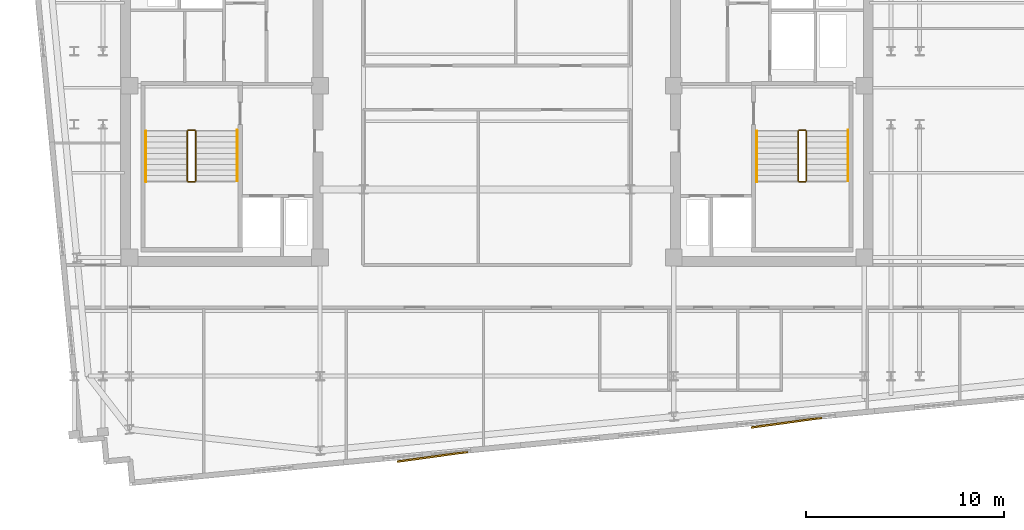
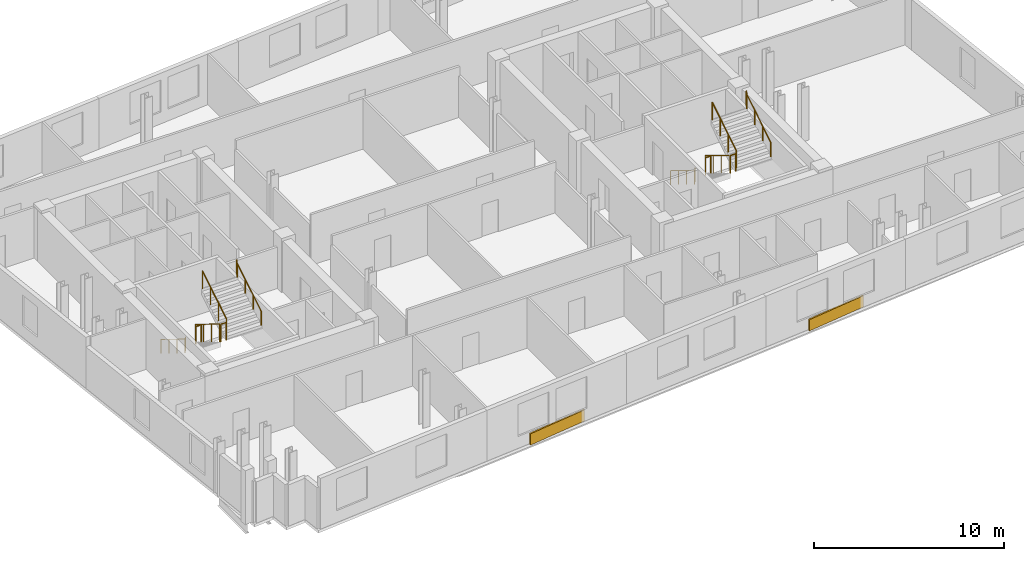
# One storey, part 8 of 9: 12 railings, 2 coverings.
"""IFC4 building model written with IfcOpenShell, lengths in metres."""

from ifc_helpers import new_model, si_unit, direction, frame, origin, origin_2d, place, context, subcontext, project, spatial, rectangle, circle, extrude, material, layer, layer_set, type_object, element, save


model = new_model("IFC4")

# Units and contexts
model_context = context("Model", 3, precision=1e-05, world=origin(), true_north=direction((0.0, 1.0)))
body_context = subcontext(model_context, "Body", "Model", "MODEL_VIEW")
ifc_project = project(units=[si_unit("LENGTHUNIT", "METRE"), si_unit("AREAUNIT", "SQUARE_METRE"), si_unit("VOLUMEUNIT", "CUBIC_METRE"), si_unit("PLANEANGLEUNIT", "RADIAN"), si_unit("MASSUNIT", "GRAM", prefix="KILO")], contexts=[model_context])

# Site, building, storey
site_placement = place(None, origin())
site = spatial("IfcSite", under=ifc_project, at=site_placement, CompositionType="ELEMENT")
building_placement = place(site_placement, origin())
building = spatial("IfcBuilding", under=site, at=building_placement, Name="Velakula Bourse", CompositionType="ELEMENT")
storey_placement = place(building_placement, frame((0.0, 0.0, 265.5)))
storey = spatial("IfcBuildingStorey", under=building, at=storey_placement, Name="L72", CompositionType="ELEMENT", Elevation=265.5)

# Coverings
ifc_material_1 = material(Name="Buff kilned clay facing brick masonry", Category="masonry")
ifc_layer = layer(ifc_material_1, 0.074951171875, Name="Buff kilned clay facing brick masonry", Category="masonry")
ifc_layer_set = layer_set([ifc_layer], Name="Buff kilned clay facing brick masonry")
covering_type = type_object("IfcCoveringType", Name="COV-BRK-SPN-75", PredefinedType="CLADDING", material=ifc_layer_set)
for number, where, z_axis, x_axis, name in (
    (1, (-3.26220703125, -18.68115234375, 0.0), (0.0, 0.0, 1.0), (0.990629029058, 0.136580111242, 0.0), "L72 Folded Brick Facade Cladding Panel S-B2"),
    (2, (14.655029296875, -16.955810546875, 0.0), (0.0, 0.0, 1.0), (0.990629029058, 0.136580111242, 0.0), "L72 Folded Brick Facade Cladding Panel S-B4"),
):
    element("IfcCovering", number, at=place(storey_placement, frame(where, z_axis=z_axis, x_axis=x_axis)), inside=storey, type_object=covering_type, Name=name, PredefinedType="CLADDING", context=body_context, shape_type="SweptSolid", body=[
        extrude(rectangle(XDim=3.60009765625, YDim=0.090087890625, at=origin_2d()), origin(), (0.0, 0.0, 1.0), 0.719970703125),
    ])

# Railings
ifc_material_2 = material(Name="Brushed grade 316 stainless steel", Category="steel")
railing_type_1 = type_object("IfcRailingType", Name="RLG-STAIR-GUARD-1150", PredefinedType="BALUSTRADE", material=ifc_material_2)
railing_1_placement = place(storey_placement, frame((-15.672119140625, -2.199951171875, 0.172607421875)))
element("IfcRailing", 3, at=railing_1_placement, inside=storey, type_object=railing_type_1, Name="L72 ST-W1 stair guard 1", PredefinedType="BALUSTRADE", context=body_context, shape_type="SweptSolid", body=[
    extrude(circle(Radius=0.02490234375, at=origin_2d()), frame((0.0, 0.0, 1.125), z_axis=(0.0, -0.851400495292, 0.524516154772), x_axis=(1.0, 0.0, 0.0)), (0.0, 0.0, 1.0), 2.9599609375),
    extrude(circle(Radius=0.02099609375, at=origin_2d()), origin(), (0.0, 0.0, 1.0), 1.099853515625),
    extrude(circle(Radius=0.02099609375, at=origin_2d()), frame((0.0, -0.840087890625, 0.517578125)), (0.0, 0.0, 1.0), 1.099853515625),
    extrude(circle(Radius=0.02099609375, at=origin_2d()), frame((0.0, -1.679931640625, 1.034912109375)), (0.0, 0.0, 1.0), 1.099853515625),
    extrude(circle(Radius=0.02099609375, at=origin_2d()), frame((0.0, -2.52001953125, 1.552490234375)), (0.0, 0.0, 1.0), 1.099853515625),
])
railing_2_placement = place(storey_placement, frame((-15.6220703125, -4.77001953125, 1.72509765625)))
element("IfcRailing", 4, at=railing_2_placement, inside=storey, type_object=railing_type_1, Name="L72 ST-W1 stair guard 2", PredefinedType="BALUSTRADE", context=body_context, shape_type="SweptSolid", body=[
    extrude(circle(Radius=0.02490234375, at=origin_2d()), frame((0.0, 0.0, 1.125), z_axis=(1.0, 0.0, 0.0), x_axis=(0.0, 1.0, 0.0)), (0.0, 0.0, 1.0), 0.323974609375),
    extrude(circle(Radius=0.02099609375, at=origin_2d()), origin(), (0.0, 0.0, 1.0), 1.099853515625),
    extrude(circle(Radius=0.02099609375, at=origin_2d()), frame((0.323974609375, 0.0, 0.0)), (0.0, 0.0, 1.0), 1.099853515625),
])
railing_3_placement = place(storey_placement, frame((-15.248046875, -4.719970703125, 1.8974609375)))
element("IfcRailing", 5, at=railing_3_placement, inside=storey, type_object=railing_type_1, Name="L72 ST-W1 stair guard 3", PredefinedType="BALUSTRADE", context=body_context, shape_type="SweptSolid", body=[
    extrude(circle(Radius=0.02490234375, at=origin_2d()), frame((0.0, 0.0, 1.125), z_axis=(0.0, 0.851400495292, 0.524516154772), x_axis=(-1.0, 0.0, 0.0)), (0.0, 0.0, 1.0), 2.9599609375),
    extrude(circle(Radius=0.02099609375, at=origin_2d()), origin(), (0.0, 0.0, 1.0), 1.099853515625),
    extrude(circle(Radius=0.02099609375, at=origin_2d()), frame((0.0, 0.840087890625, 0.517578125)), (0.0, 0.0, 1.0), 1.099853515625),
    extrude(circle(Radius=0.02099609375, at=origin_2d()), frame((0.0, 1.679931640625, 1.034912109375)), (0.0, 0.0, 1.0), 1.099853515625),
    extrude(circle(Radius=0.02099609375, at=origin_2d()), frame((0.0, 2.52001953125, 1.552490234375)), (0.0, 0.0, 1.0), 1.099853515625),
])
railing_4_placement = place(storey_placement, frame((-15.6220703125, -2.14990234375, 0.0)))
element("IfcRailing", 6, at=railing_4_placement, inside=storey, type_object=railing_type_1, Name="L72 ST-W1 stair guard 4", PredefinedType="BALUSTRADE", context=body_context, shape_type="SweptSolid", body=[
    extrude(circle(Radius=0.02490234375, at=origin_2d()), frame((0.0, 0.0, 1.125), z_axis=(1.0, 0.0, 0.0), x_axis=(0.0, 1.0, 0.0)), (0.0, 0.0, 1.0), 0.323974609375),
    extrude(circle(Radius=0.02099609375, at=origin_2d()), origin(), (0.0, 0.0, 1.0), 1.099853515625),
    extrude(circle(Radius=0.02099609375, at=origin_2d()), frame((0.323974609375, 0.0, 0.0)), (0.0, 0.0, 1.0), 1.099853515625),
])
railing_5_placement = place(storey_placement, frame((15.248046875, -2.199951171875, 0.172607421875)))
element("IfcRailing", 7, at=railing_5_placement, inside=storey, type_object=railing_type_1, Name="L72 ST-E1 stair guard 1", PredefinedType="BALUSTRADE", context=body_context, shape_type="SweptSolid", body=[
    extrude(circle(Radius=0.02490234375, at=origin_2d()), frame((0.0, 0.0, 1.125), z_axis=(0.0, -0.851400495292, 0.524516154772), x_axis=(1.0, 0.0, 0.0)), (0.0, 0.0, 1.0), 2.9599609375),
    extrude(circle(Radius=0.02099609375, at=origin_2d()), origin(), (0.0, 0.0, 1.0), 1.099853515625),
    extrude(circle(Radius=0.02099609375, at=origin_2d()), frame((0.0, -0.840087890625, 0.517578125)), (0.0, 0.0, 1.0), 1.099853515625),
    extrude(circle(Radius=0.02099609375, at=origin_2d()), frame((0.0, -1.679931640625, 1.034912109375)), (0.0, 0.0, 1.0), 1.099853515625),
    extrude(circle(Radius=0.02099609375, at=origin_2d()), frame((0.0, -2.52001953125, 1.552490234375)), (0.0, 0.0, 1.0), 1.099853515625),
])
railing_6_placement = place(storey_placement, frame((15.298095703125, -4.77001953125, 1.72509765625)))
element("IfcRailing", 8, at=railing_6_placement, inside=storey, type_object=railing_type_1, Name="L72 ST-E1 stair guard 2", PredefinedType="BALUSTRADE", context=body_context, shape_type="SweptSolid", body=[
    extrude(circle(Radius=0.02490234375, at=origin_2d()), frame((0.0, 0.0, 1.125), z_axis=(1.0, 0.0, 0.0), x_axis=(0.0, 1.0, 0.0)), (0.0, 0.0, 1.0), 0.323974609375),
    extrude(circle(Radius=0.02099609375, at=origin_2d()), origin(), (0.0, 0.0, 1.0), 1.099853515625),
    extrude(circle(Radius=0.02099609375, at=origin_2d()), frame((0.323974609375, 0.0, 0.0)), (0.0, 0.0, 1.0), 1.099853515625),
])
railing_7_placement = place(storey_placement, frame((15.672119140625, -4.719970703125, 1.8974609375)))
element("IfcRailing", 9, at=railing_7_placement, inside=storey, type_object=railing_type_1, Name="L72 ST-E1 stair guard 3", PredefinedType="BALUSTRADE", context=body_context, shape_type="SweptSolid", body=[
    extrude(circle(Radius=0.02490234375, at=origin_2d()), frame((0.0, 0.0, 1.125), z_axis=(0.0, 0.851400495292, 0.524516154772), x_axis=(-1.0, 0.0, 0.0)), (0.0, 0.0, 1.0), 2.9599609375),
    extrude(circle(Radius=0.02099609375, at=origin_2d()), origin(), (0.0, 0.0, 1.0), 1.099853515625),
    extrude(circle(Radius=0.02099609375, at=origin_2d()), frame((0.0, 0.840087890625, 0.517578125)), (0.0, 0.0, 1.0), 1.099853515625),
    extrude(circle(Radius=0.02099609375, at=origin_2d()), frame((0.0, 1.679931640625, 1.034912109375)), (0.0, 0.0, 1.0), 1.099853515625),
    extrude(circle(Radius=0.02099609375, at=origin_2d()), frame((0.0, 2.52001953125, 1.552490234375)), (0.0, 0.0, 1.0), 1.099853515625),
])
railing_8_placement = place(storey_placement, frame((15.298095703125, -2.14990234375, 0.0)))
element("IfcRailing", 10, at=railing_8_placement, inside=storey, type_object=railing_type_1, Name="L72 ST-E1 stair guard 4", PredefinedType="BALUSTRADE", context=body_context, shape_type="SweptSolid", body=[
    extrude(circle(Radius=0.02490234375, at=origin_2d()), frame((0.0, 0.0, 1.125), z_axis=(1.0, 0.0, 0.0), x_axis=(0.0, 1.0, 0.0)), (0.0, 0.0, 1.0), 0.323974609375),
    extrude(circle(Radius=0.02099609375, at=origin_2d()), origin(), (0.0, 0.0, 1.0), 1.099853515625),
    extrude(circle(Radius=0.02099609375, at=origin_2d()), frame((0.323974609375, 0.0, 0.0)), (0.0, 0.0, 1.0), 1.099853515625),
])
railing_type_2 = type_object("IfcRailingType", Name="RLG-STAIR-HAND-920", PredefinedType="HANDRAIL", material=ifc_material_2)
railing_9_placement = place(storey_placement, frame((-17.77001953125, -2.199951171875, 0.172607421875)))
element("IfcRailing", 11, at=railing_9_placement, inside=storey, type_object=railing_type_2, Name="L72 ST-W1 stair handrail 1", PredefinedType="HANDRAIL", context=body_context, shape_type="SweptSolid", body=[
    extrude(circle(Radius=0.02099609375, at=origin_2d()), frame((0.0, 0.0, 0.89892578125), z_axis=(0.0, -0.851400495292, 0.524516154772), x_axis=(1.0, 0.0, 0.0)), (0.0, 0.0, 1.0), 2.9599609375),
    extrude(circle(Radius=0.02099609375, at=origin_2d()), frame((0.0, -2.52001953125, 2.451416015625), z_axis=(0.0, -0.226269970362, 0.974064628509), x_axis=(1.0, 0.0, 0.0)), (0.0, 0.0, 1.0), 0.177001953125),
    extrude(circle(Radius=0.02099609375, at=origin_2d()), frame((0.0, -2.56005859375, 2.623779296875), z_axis=(0.0, -1.0, 0.0), x_axis=(1.0, 0.0, 0.0)), (0.0, 0.0, 1.0), 0.0048828125),
    extrude(circle(Radius=0.02099609375, at=origin_2d()), origin(), (0.0, 0.0, 1.0), 0.8779296875),
    extrude(circle(Radius=0.02099609375, at=origin_2d()), frame((0.0, -0.840087890625, 0.517578125)), (0.0, 0.0, 1.0), 0.8779296875),
    extrude(circle(Radius=0.02099609375, at=origin_2d()), frame((0.0, -1.679931640625, 1.034912109375)), (0.0, 0.0, 1.0), 0.8779296875),
    extrude(circle(Radius=0.02099609375, at=origin_2d()), frame((0.0, -2.52001953125, 1.552490234375)), (0.0, 0.0, 1.0), 0.8779296875),
    extrude(circle(Radius=0.02099609375, at=origin_2d()), frame((0.0, -2.56005859375, 1.724853515625)), (0.0, 0.0, 1.0), 0.8779296875),
    extrude(circle(Radius=0.02099609375, at=origin_2d()), frame((0.0, -2.56494140625, 1.724853515625)), (0.0, 0.0, 1.0), 0.8779296875),
])
railing_10_placement = place(storey_placement, frame((-13.14990234375, -4.719970703125, 1.8974609375)))
element("IfcRailing", 12, at=railing_10_placement, inside=storey, type_object=railing_type_2, Name="L72 ST-W1 stair handrail 2", PredefinedType="HANDRAIL", context=body_context, shape_type="SweptSolid", body=[
    extrude(circle(Radius=0.02099609375, at=origin_2d()), frame((0.0, 0.0, 0.89892578125), z_axis=(0.0, 0.851400495292, 0.524516154772), x_axis=(-1.0, 0.0, 0.0)), (0.0, 0.0, 1.0), 2.9599609375),
    extrude(circle(Radius=0.02099609375, at=origin_2d()), frame((0.0, 2.52001953125, 2.451416015625), z_axis=(0.0, 0.22596628056, 0.974135124123), x_axis=(-1.0, 0.0, 0.0)), (0.0, 0.0, 1.0), 0.17724609375),
    extrude(circle(Radius=0.02099609375, at=origin_2d()), frame((0.0, 2.56005859375, 2.6240234375), z_axis=(0.0, 1.0, 0.0), x_axis=(-1.0, 0.0, 0.0)), (0.0, 0.0, 1.0), 0.0048828125),
    extrude(circle(Radius=0.02099609375, at=origin_2d()), origin(), (0.0, 0.0, 1.0), 0.8779296875),
    extrude(circle(Radius=0.02099609375, at=origin_2d()), frame((0.0, 0.840087890625, 0.517578125)), (0.0, 0.0, 1.0), 0.8779296875),
    extrude(circle(Radius=0.02099609375, at=origin_2d()), frame((0.0, 1.679931640625, 1.034912109375)), (0.0, 0.0, 1.0), 0.8779296875),
    extrude(circle(Radius=0.02099609375, at=origin_2d()), frame((0.0, 2.52001953125, 1.552490234375)), (0.0, 0.0, 1.0), 0.8779296875),
    extrude(circle(Radius=0.02099609375, at=origin_2d()), frame((0.0, 2.56005859375, 1.72509765625)), (0.0, 0.0, 1.0), 0.8779296875),
    extrude(circle(Radius=0.02099609375, at=origin_2d()), frame((0.0, 2.56494140625, 1.72509765625)), (0.0, 0.0, 1.0), 0.8779296875),
])
railing_11_placement = place(storey_placement, frame((13.14990234375, -2.199951171875, 0.172607421875)))
element("IfcRailing", 13, at=railing_11_placement, inside=storey, type_object=railing_type_2, Name="L72 ST-E1 stair handrail 1", PredefinedType="HANDRAIL", context=body_context, shape_type="SweptSolid", body=[
    extrude(circle(Radius=0.02099609375, at=origin_2d()), frame((0.0, 0.0, 0.89892578125), z_axis=(0.0, -0.851400495292, 0.524516154772), x_axis=(1.0, 0.0, 0.0)), (0.0, 0.0, 1.0), 2.9599609375),
    extrude(circle(Radius=0.02099609375, at=origin_2d()), frame((0.0, -2.52001953125, 2.451416015625), z_axis=(0.0, -0.226269970362, 0.974064628509), x_axis=(1.0, 0.0, 0.0)), (0.0, 0.0, 1.0), 0.177001953125),
    extrude(circle(Radius=0.02099609375, at=origin_2d()), frame((0.0, -2.56005859375, 2.623779296875), z_axis=(0.0, -1.0, 0.0), x_axis=(1.0, 0.0, 0.0)), (0.0, 0.0, 1.0), 0.0048828125),
    extrude(circle(Radius=0.02099609375, at=origin_2d()), origin(), (0.0, 0.0, 1.0), 0.8779296875),
    extrude(circle(Radius=0.02099609375, at=origin_2d()), frame((0.0, -0.840087890625, 0.517578125)), (0.0, 0.0, 1.0), 0.8779296875),
    extrude(circle(Radius=0.02099609375, at=origin_2d()), frame((0.0, -1.679931640625, 1.034912109375)), (0.0, 0.0, 1.0), 0.8779296875),
    extrude(circle(Radius=0.02099609375, at=origin_2d()), frame((0.0, -2.52001953125, 1.552490234375)), (0.0, 0.0, 1.0), 0.8779296875),
    extrude(circle(Radius=0.02099609375, at=origin_2d()), frame((0.0, -2.56005859375, 1.724853515625)), (0.0, 0.0, 1.0), 0.8779296875),
    extrude(circle(Radius=0.02099609375, at=origin_2d()), frame((0.0, -2.56494140625, 1.724853515625)), (0.0, 0.0, 1.0), 0.8779296875),
])
railing_12_placement = place(storey_placement, frame((17.77001953125, -4.719970703125, 1.8974609375)))
element("IfcRailing", 14, at=railing_12_placement, inside=storey, type_object=railing_type_2, Name="L72 ST-E1 stair handrail 2", PredefinedType="HANDRAIL", context=body_context, shape_type="SweptSolid", body=[
    extrude(circle(Radius=0.02099609375, at=origin_2d()), frame((0.0, 0.0, 0.89892578125), z_axis=(0.0, 0.851400495292, 0.524516154772), x_axis=(-1.0, 0.0, 0.0)), (0.0, 0.0, 1.0), 2.9599609375),
    extrude(circle(Radius=0.02099609375, at=origin_2d()), frame((0.0, 2.52001953125, 2.451416015625), z_axis=(0.0, 0.22596628056, 0.974135124123), x_axis=(-1.0, 0.0, 0.0)), (0.0, 0.0, 1.0), 0.17724609375),
    extrude(circle(Radius=0.02099609375, at=origin_2d()), frame((0.0, 2.56005859375, 2.6240234375), z_axis=(0.0, 1.0, 0.0), x_axis=(-1.0, 0.0, 0.0)), (0.0, 0.0, 1.0), 0.0048828125),
    extrude(circle(Radius=0.02099609375, at=origin_2d()), origin(), (0.0, 0.0, 1.0), 0.8779296875),
    extrude(circle(Radius=0.02099609375, at=origin_2d()), frame((0.0, 0.840087890625, 0.517578125)), (0.0, 0.0, 1.0), 0.8779296875),
    extrude(circle(Radius=0.02099609375, at=origin_2d()), frame((0.0, 1.679931640625, 1.034912109375)), (0.0, 0.0, 1.0), 0.8779296875),
    extrude(circle(Radius=0.02099609375, at=origin_2d()), frame((0.0, 2.52001953125, 1.552490234375)), (0.0, 0.0, 1.0), 0.8779296875),
    extrude(circle(Radius=0.02099609375, at=origin_2d()), frame((0.0, 2.56005859375, 1.72509765625)), (0.0, 0.0, 1.0), 0.8779296875),
    extrude(circle(Radius=0.02099609375, at=origin_2d()), frame((0.0, 2.56494140625, 1.72509765625)), (0.0, 0.0, 1.0), 0.8779296875),
])

save(model, "model.ifc")
